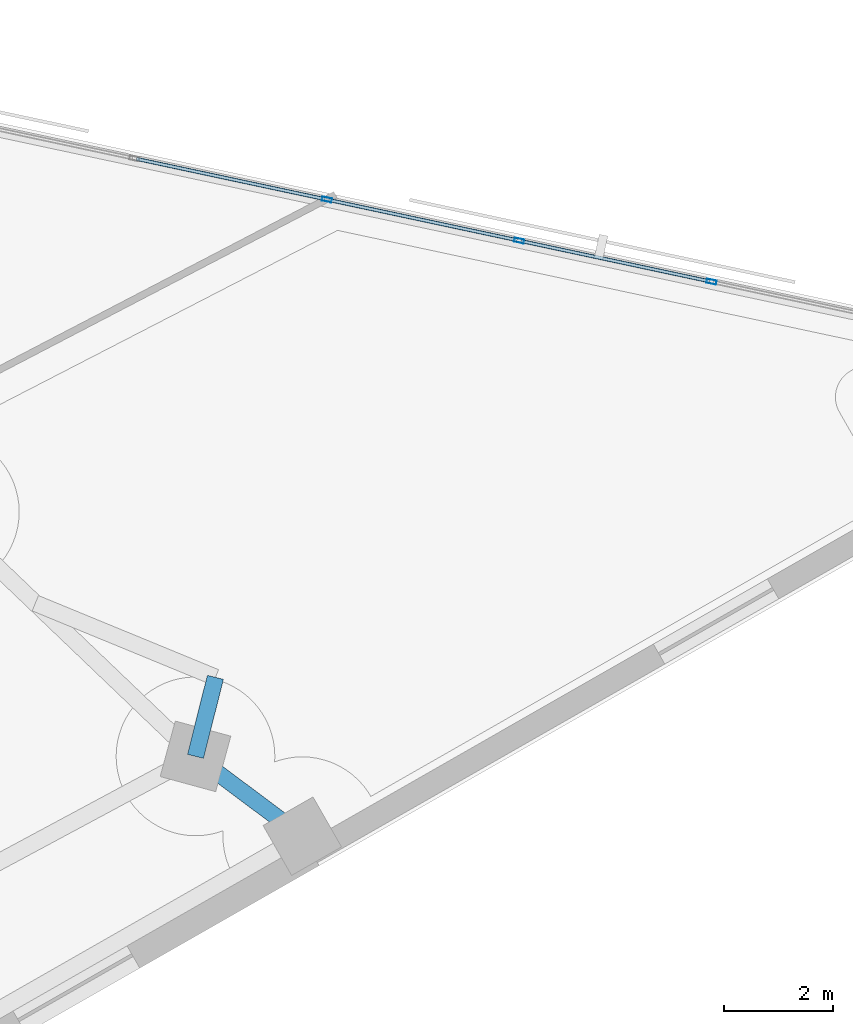
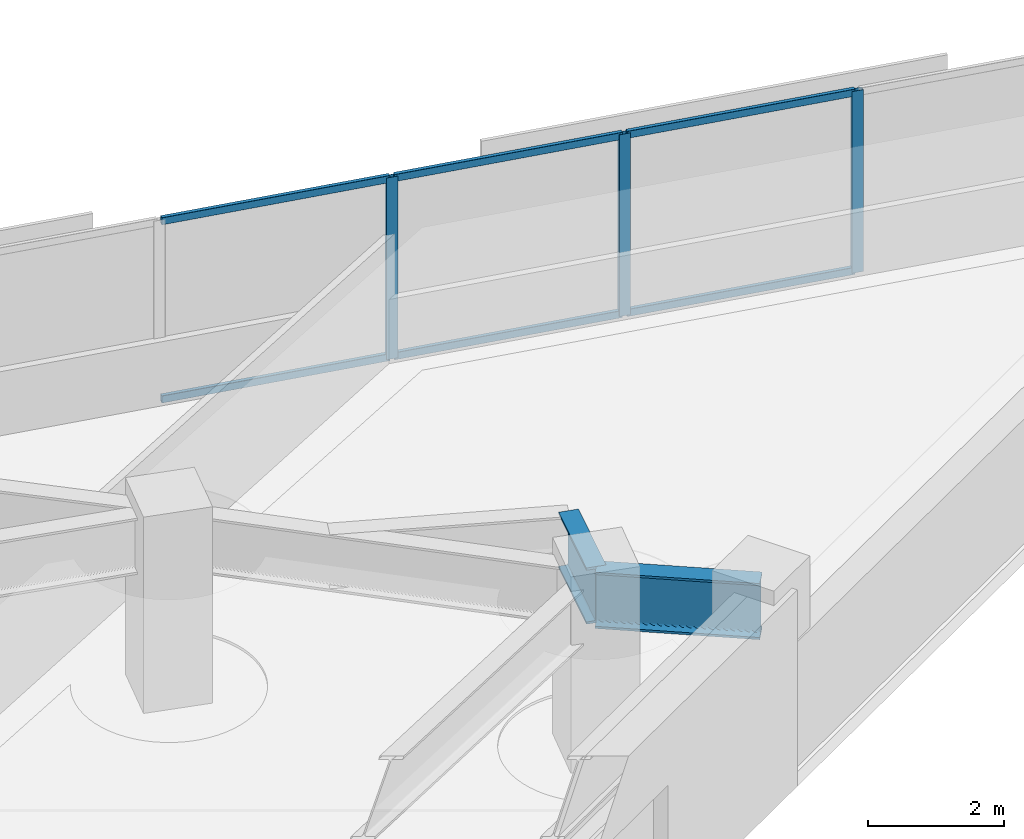
# One storey, part 5 of 13: 9 members, 2 beams, 1 element without a shape of its own.
"""IFC4 building model written with IfcOpenShell, lengths in metres."""

from ifc_helpers import new_model, si_unit, direction, frame, origin, origin_2d, place, context, subcontext, project, spatial, hollow_rectangle, i_section, extrude, material, material_profile, profile_set, type_object, element, aggregate, save


model = new_model("IFC4")

# Units and contexts
model_context = context("Model", 3, precision=1e-05, world=origin(), true_north=direction((0.0, 1.0)))
body_context = subcontext(model_context, "Body", "Model", "MODEL_VIEW")
ifc_project = project(units=[si_unit("LENGTHUNIT", "METRE"), si_unit("AREAUNIT", "SQUARE_METRE"), si_unit("VOLUMEUNIT", "CUBIC_METRE"), si_unit("PLANEANGLEUNIT", "RADIAN"), si_unit("MASSUNIT", "GRAM", prefix="KILO")], contexts=[model_context])

# Site, building, storey
site_placement = place(None, origin())
site = spatial("IfcSite", under=ifc_project, at=site_placement, CompositionType="ELEMENT")
building_placement = place(site_placement, origin())
building = spatial("IfcBuilding", under=site, at=building_placement, Name="Narakoshi Arena Tower", CompositionType="ELEMENT")
storey_placement = place(building_placement, frame((0.0, 0.0, 229.06005859375)))
storey = spatial("IfcBuildingStorey", under=building, at=storey_placement, Name="L62", CompositionType="ELEMENT", Elevation=229.06005859375)

# Beams
ifc_material_1 = material(Name="Structural steel S460ML", Category="steel")
ifc_material_profile_1 = material_profile(ifc_material_1, i_section(OverallWidth=0.302001953125, OverallDepth=1.008056640625, WebThickness=0.02099609375, FlangeThickness=0.0400390625, FilletRadius=0.030029296875, at=origin_2d()), Name="HE1000M")
ifc_profile_set_1 = profile_set([ifc_material_profile_1], Name="Structural steel S460ML")
beam_type = type_object("IfcBeamType", Name="BM-XFER-1000", PredefinedType="BEAM", material=ifc_profile_set_1)
beam_1_placement = place(storey_placement, frame((104.619873046875, 47.550048828125, 2.755859375), z_axis=(-0.800768849668, 0.59897349641, 0.0), x_axis=(-0.59897349641, -0.800768849668, 0.0)))
element("IfcBeam", 1, at=beam_1_placement, inside=storey, type_object=beam_type, Name="L62 Perimeter Transfer Ring Girder 03", PredefinedType="BEAM", context=body_context, shape_type="SweptSolid", body=[
    extrude(i_section(OverallWidth=0.302001953125, OverallDepth=1.008056640625, WebThickness=0.02099609375, FlangeThickness=0.0400390625, FilletRadius=0.030029296875, at=origin_2d()), origin(), (0.0, 0.0, 1.0), 2.4365234375),
])
beam_2_placement = place(storey_placement, frame((102.668701171875, 49.009521484375, 2.755859375), z_axis=(0.244271075475, 0.969706987541, 0.0), x_axis=(-0.969706987541, 0.244271075475, 0.0)))
element("IfcBeam", 2, at=beam_2_placement, inside=storey, type_object=beam_type, Name="L62 Block-Turn Transfer Node Girder 03-1", PredefinedType="BEAM", context=body_context, shape_type="SweptSolid", body=[
    extrude(i_section(OverallWidth=0.302001953125, OverallDepth=1.008056640625, WebThickness=0.02099609375, FlangeThickness=0.0400390625, FilletRadius=0.030029296875, at=origin_2d()), origin(), (0.0, 0.0, 1.0), 1.4892578125),
])

# Curtain wall, members
ifc_material_2 = material(Name="Anodised bronze aluminium 6063-T6", Category="aluminium")
curtain_wall_type = type_object("IfcCurtainWallType", Name="CW-HYP-MID", PredefinedType="NOTDEFINED", material=ifc_material_2)
curtain_wall_placement = place(storey_placement, origin())
curtain_wall = element("IfcCurtainWall", 3, at=curtain_wall_placement, inside=storey, type_object=curtain_wall_type, Name="L62 Folded Hypotenuse Curtain Wall 1-1", PredefinedType="NOTDEFINED")
ifc_material_profile_2 = material_profile(ifc_material_2, hollow_rectangle(XDim=0.074951171875, YDim=0.179931640625, WallThickness=0.00390625, OuterFilletRadius=0.0048828125, at=origin_2d()), Name="MUL180x75x4")
ifc_profile_set_2 = profile_set([ifc_material_profile_2], Name="Anodised bronze aluminium 6063-T6")
member_type_1 = type_object("IfcMemberType", Name="MEM-MUL-180", PredefinedType="MULLION", material=ifc_profile_set_2)
member_1_placement = place(storey_placement, frame((112.096435546875, 57.680908203125, 0.0), z_axis=(0.0, 0.0, 1.0), x_axis=(-0.208899163248, -0.977937185914, 0.0)))
member_1 = element("IfcMember", 4, at=member_1_placement, type_object=member_type_1, Name="CW-02 mullion 2", PredefinedType="MULLION", context=body_context, shape_type="SweptSolid", body=[
    extrude(hollow_rectangle(XDim=0.074951171875, YDim=0.179931640625, WallThickness=0.00390625, OuterFilletRadius=0.0048828125, at=origin_2d()), origin(), (0.0, 0.0, 1.0), 3.260009765625),
])
member_2_placement = place(storey_placement, frame((108.582275390625, 58.431640625, 0.0), z_axis=(0.0, 0.0, 1.0), x_axis=(-0.208899163248, -0.977937185914, 0.0)))
member_2 = element("IfcMember", 5, at=member_2_placement, type_object=member_type_1, Name="CW-02 mullion 3", PredefinedType="MULLION", context=body_context, shape_type="SweptSolid", body=[
    extrude(hollow_rectangle(XDim=0.074951171875, YDim=0.179931640625, WallThickness=0.00390625, OuterFilletRadius=0.0048828125, at=origin_2d()), origin(), (0.0, 0.0, 1.0), 3.260009765625),
])
member_3_placement = place(storey_placement, frame((105.068115234375, 59.182373046875, 0.0), z_axis=(0.0, 0.0, 1.0), x_axis=(-0.208899163248, -0.977937185914, 0.0)))
member_3 = element("IfcMember", 6, at=member_3_placement, type_object=member_type_1, Name="CW-02 mullion 4", PredefinedType="MULLION", context=body_context, shape_type="SweptSolid", body=[
    extrude(hollow_rectangle(XDim=0.074951171875, YDim=0.179931640625, WallThickness=0.00390625, OuterFilletRadius=0.0048828125, at=origin_2d()), origin(), (0.0, 0.0, 1.0), 3.260009765625),
])
ifc_material_profile_3 = material_profile(ifc_material_2, hollow_rectangle(XDim=0.06494140625, YDim=0.1298828125, WallThickness=0.00390625, OuterFilletRadius=0.0048828125, at=origin_2d()), Name="TRN130x65x4")
ifc_profile_set_3 = profile_set([ifc_material_profile_3], Name="Anodised bronze aluminium 6063-T6")
member_type_2 = type_object("IfcMemberType", Name="MEM-TRN-130", PredefinedType="USERDEFINED", material=ifc_profile_set_3)
member_4_placement = place(storey_placement, frame((112.059814453125, 57.688720703125, 0.032470703125), z_axis=(-0.977932198567, 0.20892250957, 0.0), x_axis=(-0.20892250957, -0.977932198567, 0.0)))
member_4 = element("IfcMember", 7, at=member_4_placement, type_object=member_type_2, Name="CW-02 transom 2.1", ObjectType="TRANSOM", PredefinedType="USERDEFINED", context=body_context, shape_type="SweptSolid", body=[
    extrude(hollow_rectangle(XDim=0.06494140625, YDim=0.1298828125, WallThickness=0.00390625, OuterFilletRadius=0.0048828125, at=origin_2d()), origin(), (0.0, 0.0, 1.0), 3.5185546875),
])
member_5_placement = place(storey_placement, frame((112.059814453125, 57.688720703125, 3.2275390625), z_axis=(-0.977932198567, 0.20892250957, 0.0), x_axis=(-0.20892250957, -0.977932198567, 0.0)))
member_5 = element("IfcMember", 8, at=member_5_placement, type_object=member_type_2, Name="CW-02 transom 2.2", ObjectType="TRANSOM", PredefinedType="USERDEFINED", context=body_context, shape_type="SweptSolid", body=[
    extrude(hollow_rectangle(XDim=0.06494140625, YDim=0.1298828125, WallThickness=0.00390625, OuterFilletRadius=0.0048828125, at=origin_2d()), origin(), (0.0, 0.0, 1.0), 3.5185546875),
])
member_6_placement = place(storey_placement, frame((108.545654296875, 58.439453125, 0.032470703125), z_axis=(-0.977946373003, 0.208856150329, 0.0), x_axis=(-0.208856150329, -0.977946373003, 0.0)))
member_6 = element("IfcMember", 9, at=member_6_placement, type_object=member_type_2, Name="CW-02 transom 3.1", ObjectType="TRANSOM", PredefinedType="USERDEFINED", context=body_context, shape_type="SweptSolid", body=[
    extrude(hollow_rectangle(XDim=0.06494140625, YDim=0.1298828125, WallThickness=0.00390625, OuterFilletRadius=0.0048828125, at=origin_2d()), origin(), (0.0, 0.0, 1.0), 3.5185546875),
])
member_7_placement = place(storey_placement, frame((108.545654296875, 58.439453125, 3.2275390625), z_axis=(-0.977946373003, 0.208856150329, 0.0), x_axis=(-0.208856150329, -0.977946373003, 0.0)))
member_7 = element("IfcMember", 10, at=member_7_placement, type_object=member_type_2, Name="CW-02 transom 3.2", ObjectType="TRANSOM", PredefinedType="USERDEFINED", context=body_context, shape_type="SweptSolid", body=[
    extrude(hollow_rectangle(XDim=0.06494140625, YDim=0.1298828125, WallThickness=0.00390625, OuterFilletRadius=0.0048828125, at=origin_2d()), origin(), (0.0, 0.0, 1.0), 3.5185546875),
])
member_8_placement = place(storey_placement, frame((105.031494140625, 59.190185546875, 0.032470703125), z_axis=(-0.977943345954, 0.208870323659, 0.0), x_axis=(-0.208870323659, -0.977943345954, 0.0)))
member_8 = element("IfcMember", 11, at=member_8_placement, type_object=member_type_2, Name="CW-02 transom 4.1", ObjectType="TRANSOM", PredefinedType="USERDEFINED", context=body_context, shape_type="SweptSolid", body=[
    extrude(hollow_rectangle(XDim=0.06494140625, YDim=0.1298828125, WallThickness=0.00390625, OuterFilletRadius=0.0048828125, at=origin_2d()), origin(), (0.0, 0.0, 1.0), 3.518310546875),
])
member_9_placement = place(storey_placement, frame((105.031494140625, 59.190185546875, 3.2275390625), z_axis=(-0.977943345954, 0.208870323659, 0.0), x_axis=(-0.208870323659, -0.977943345954, 0.0)))
member_9 = element("IfcMember", 12, at=member_9_placement, type_object=member_type_2, Name="CW-02 transom 4.2", ObjectType="TRANSOM", PredefinedType="USERDEFINED", context=body_context, shape_type="SweptSolid", body=[
    extrude(hollow_rectangle(XDim=0.06494140625, YDim=0.1298828125, WallThickness=0.00390625, OuterFilletRadius=0.0048828125, at=origin_2d()), origin(), (0.0, 0.0, 1.0), 3.518310546875),
])
aggregate(curtain_wall, [member_1, member_2, member_3, member_4, member_5, member_6, member_7, member_8, member_9])

save(model, "model.ifc")
